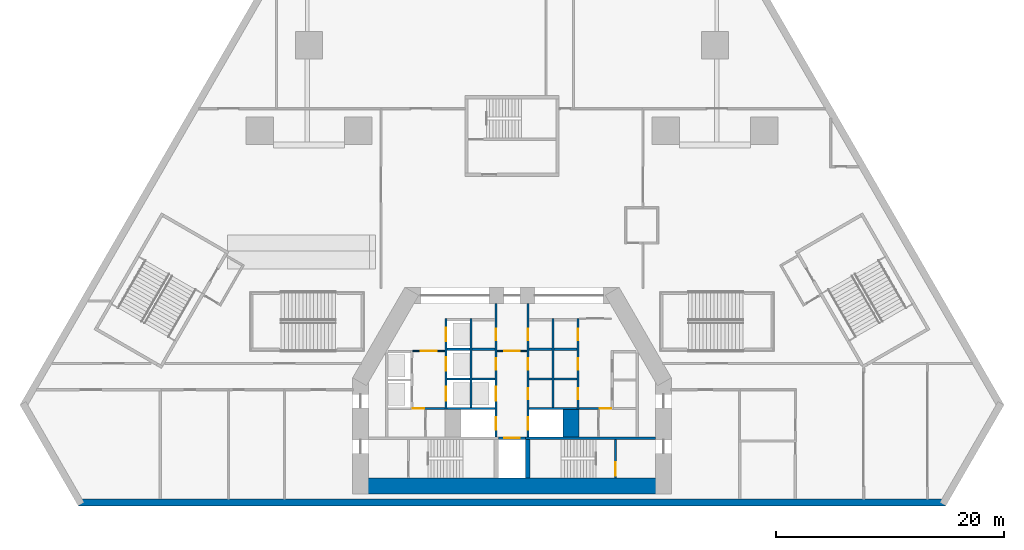
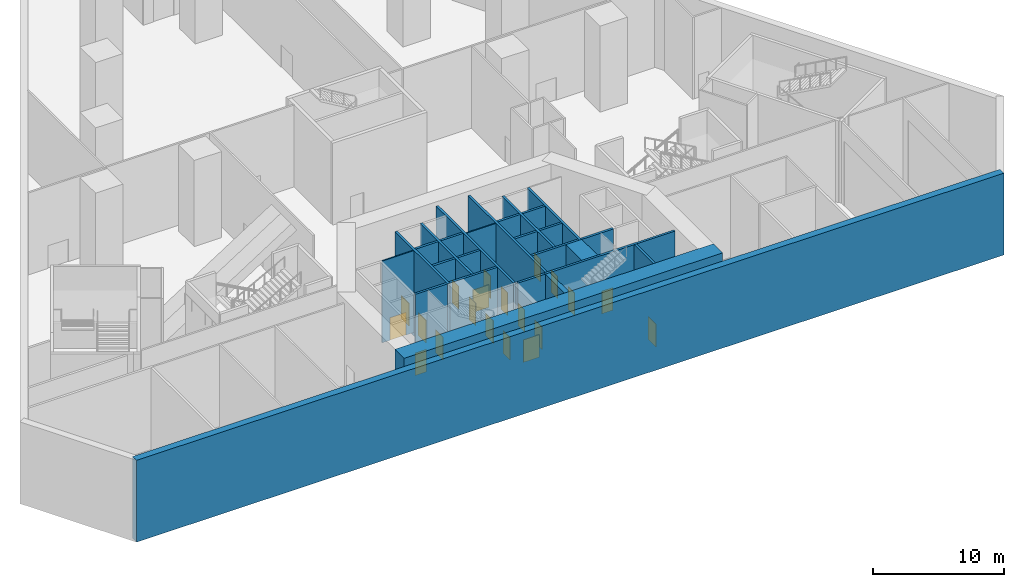
# One storey, part 3 of 11: 27 walls, 20 doors, 20 openings.
"""IFC4 building model written with IfcOpenShell, lengths in metres."""

import ifcopenshell
import ifcopenshell.guid

model = None  # the IFC model being written
_history = None  # IfcOwnerHistory: only IFC2X3 demands one
_inside = {}  # id of a spatial element -> (the spatial element, [elements in it])
_under = {}  # id of a project, library or spatial element -> (it, [spatial elements below it])
_declared = {}  # id of a project -> (the project, [libraries it declares])
_typed = {}  # id of a type object -> (the type object, [elements of that type])
_made_of = {}  # id of a material, layer set ... -> (it, [elements and type objects made of it])


def new_model(schema):
    """Start an empty IFC model of exactly this schema.

    Asked for "IFC4X3", IfcOpenShell would pick the latest addendum, in which some entities
    have other attributes; the version numbers below select the first issue.
    IFC2X3 requires an IfcOwnerHistory on every rooted entity: one is made here for all.
    """
    global model, _history
    if schema == "IFC4X3":
        model = ifcopenshell.file(schema_version=(4, 3, 0, 0))
    else:
        model = ifcopenshell.file(schema=schema)
    _inside.clear()
    _under.clear()
    _declared.clear()
    _typed.clear()
    _made_of.clear()
    _history = None
    if model.schema == "IFC2X3":
        org = make("IfcOrganization", Name="unknown")
        user = make(
            "IfcPersonAndOrganization",
            ThePerson=make("IfcPerson", FamilyName="unknown"),
            TheOrganization=org,
        )
        app = make(
            "IfcApplication",
            ApplicationDeveloper=org,
            Version="unknown",
            ApplicationFullName="unknown",
            ApplicationIdentifier="unknown",
        )
        _history = make(
            "IfcOwnerHistory",
            OwningUser=user,
            OwningApplication=app,
            ChangeAction="ADDED",
            CreationDate=0,
        )
    return model


def make(cls, **values):
    """One entity of the class cls with the attributes given. An attribute that is None is left unset."""
    return model.create_entity(
        cls, **{name: value for name, value in values.items() if value is not None}
    )


def rooted(cls, **values):
    """An entity with a GlobalId (a new one), such as an element, a storey or a relation."""
    return make(cls, GlobalId=ifcopenshell.guid.new(), OwnerHistory=_history, **values)


def si_unit(unit_type, name, prefix=None):
    """IfcSIUnit, for example si_unit("LENGTHUNIT", "METRE", prefix="MILLI")."""
    return make("IfcSIUnit", UnitType=unit_type, Prefix=prefix, Name=name)


def assignment(units):
    """IfcUnitAssignment: the units of a project."""
    return None if units is None else make("IfcUnitAssignment", Units=units)


def point(xyz):
    """IfcCartesianPoint."""
    return None if xyz is None else make("IfcCartesianPoint", Coordinates=xyz)


def direction(xyz):
    """IfcDirection."""
    return None if xyz is None else make("IfcDirection", DirectionRatios=xyz)


def frame(location, z_axis=None, x_axis=None):
    """IfcAxis2Placement3D, a coordinate frame: its origin and axes. An axis left out is left unset."""
    return make(
        "IfcAxis2Placement3D",
        Location=point(location),
        Axis=direction(z_axis),
        RefDirection=direction(x_axis),
    )


def frame_2d(location, x_axis=None):
    """IfcAxis2Placement2D, a coordinate frame in the plane: its origin and x axis."""
    return make(
        "IfcAxis2Placement2D", Location=point(location), RefDirection=direction(x_axis)
    )


def origin():
    """The frame at (0, 0, 0) with its axes left unset."""
    return frame((0.0, 0.0, 0.0))


def place(relative_to, where):
    """IfcLocalPlacement: puts the frame where relative to a parent placement (None: the world)."""
    return make(
        "IfcLocalPlacement", PlacementRelTo=relative_to, RelativePlacement=where
    )


def context(
    kind, dimensions, precision=None, world=None, true_north=None, identifier=None
):
    """IfcGeometricRepresentationContext, for example the 3D "Model" context."""
    return make(
        "IfcGeometricRepresentationContext",
        ContextIdentifier=identifier,
        ContextType=kind,
        CoordinateSpaceDimension=dimensions,
        Precision=precision,
        WorldCoordinateSystem=world,
        TrueNorth=true_north,
    )


def subcontext(parent, identifier, kind, view, scale=None):
    """IfcGeometricRepresentationSubContext, for example "Body" below "Model"."""
    return make(
        "IfcGeometricRepresentationSubContext",
        ContextIdentifier=identifier,
        ContextType=kind,
        ParentContext=parent,
        TargetScale=scale,
        TargetView=view,
    )


def project(units=None, contexts=None):
    """IfcProject with its units and contexts."""
    return rooted(
        "IfcProject",
        Name="project",
        RepresentationContexts=contexts,
        UnitsInContext=assignment(units),
    )


def spatial(cls, under=None, at=None, **own):
    """A site, building, storey or space (cls), placed at a placement, below another one or the project."""
    s = rooted(cls, ObjectPlacement=at, **own)
    if under is not None:
        _under.setdefault(under.id(), (under, []))[1].append(s)
    return s


def profile(cls, at=None, kind="AREA", **sizes):
    """A parametric profile (cls). Its sizes go by their IFC names, for example OverallWidth=200.0."""
    return make(cls, ProfileType=kind, Position=at, **sizes)


def rectangle(**sizes):
    """IfcRectangleProfileDef."""
    return profile("IfcRectangleProfileDef", **sizes)


def extrude(swept, where, along, depth):
    """IfcExtrudedAreaSolid: the profile swept, set in the frame where, extruded along a direction by depth."""
    return make(
        "IfcExtrudedAreaSolid",
        SweptArea=swept,
        Position=where,
        ExtrudedDirection=direction(along),
        Depth=depth,
    )


def shape(context_of_items, identifier, shape_type, items):
    """IfcShapeRepresentation: the items that make up one representation, for example the "Body"."""
    return make(
        "IfcShapeRepresentation",
        ContextOfItems=context_of_items,
        RepresentationIdentifier=identifier,
        RepresentationType=shape_type,
        Items=items,
    )


def material(Name=None, Category=None):
    """IfcMaterial."""
    return make("IfcMaterial", Name=Name, Category=Category)


def layer(
    of_material, thickness, ventilated=None, Name=None, Category=None, Priority=None
):
    """IfcMaterialLayer: one layer of a wall or slab, of a material (None: an air gap)."""
    return make(
        "IfcMaterialLayer",
        Material=of_material,
        LayerThickness=thickness,
        IsVentilated=ventilated,
        Name=Name,
        Category=Category,
        Priority=Priority,
    )


def layer_set(layers, Name=None):
    """IfcMaterialLayerSet."""
    return make("IfcMaterialLayerSet", MaterialLayers=layers, LayerSetName=Name)


def made_of(thing, what):
    """Note that an element or type object is made of a material, layer set ...; save() writes the relation."""
    if what is not None:
        _made_of.setdefault(what.id(), (what, []))[1].append(thing)
    return thing


def type_object(cls, material=None, **own):
    """A type object (cls), such as IfcWallType, which elements share."""
    return made_of(rooted(cls, **own), material)


def element(
    cls,
    number,
    at=None,
    inside=None,
    cuts=None,
    type_object=None,
    material=None,
    context=None,
    identifier="Body",
    shape_type=None,
    held_by="IfcProductDefinitionShape",
    body=None,
    shapes=None,
    **own,
):
    """One element of the class cls, such as IfcWall. Its Tag is "e" and its number.

    at: its placement. inside: the storey or other place that contains it. cuts: it is an
    opening in that element (IfcRelVoidsElement). A single representation is given by context,
    identifier, shape_type and body (its items); several are given by shapes. held_by: the class
    of the entity that holds the representations. save() writes the other relations.
    """
    e = rooted(cls, Tag="e%d" % number, ObjectPlacement=at, **own)
    if body is not None:
        shapes = [shape(context, identifier, shape_type, body)]
    if shapes is not None:
        e.Representation = make(held_by, Representations=shapes)
    if inside is not None:
        _inside.setdefault(inside.id(), (inside, []))[1].append(e)
    if cuts is not None:
        rooted(
            "IfcRelVoidsElement", RelatingBuildingElement=cuts, RelatedOpeningElement=e
        )
    if type_object is not None:
        _typed.setdefault(type_object.id(), (type_object, []))[1].append(e)
    return made_of(e, material)


def fill(opening, filler):
    """IfcRelFillsElement: the door or window that sits in an opening."""
    return rooted(
        "IfcRelFillsElement",
        RelatingOpeningElement=opening,
        RelatedBuildingElement=filler,
    )


def aggregate(whole, parts):
    """IfcRelAggregates: a whole, such as a stair, and the parts it consists of."""
    return rooted("IfcRelAggregates", RelatingObject=whole, RelatedObjects=parts)


def save(model, path):
    """Write the relations noted so far, then the file.

    IfcRelAggregates (storeys below a building ...), IfcRelContainedInSpatialStructure (elements
    in a storey), IfcRelDefinesByType, IfcRelAssociatesMaterial and IfcRelDeclares: one each for
    every whole, place, type object, material and project.
    """
    for whole, parts in _under.values():
        aggregate(whole, parts)
    for where, things in _inside.values():
        rooted(
            "IfcRelContainedInSpatialStructure",
            RelatedElements=things,
            RelatingStructure=where,
        )
    for kind, things in _typed.values():
        rooted("IfcRelDefinesByType", RelatedObjects=things, RelatingType=kind)
    for what, things in _made_of.values():
        rooted("IfcRelAssociatesMaterial", RelatedObjects=things, RelatingMaterial=what)
    for by, libraries in _declared.values():
        rooted("IfcRelDeclares", RelatingContext=by, RelatedDefinitions=libraries)
    model.write(path)


model = new_model("IFC4")

# Units and contexts
model_context = context("Model", 3, precision=1e-05, world=origin(), true_north=direction((0.0, 1.0)))
body_context = subcontext(model_context, "Body", "Model", "MODEL_VIEW")
ifc_project = project(units=[si_unit("LENGTHUNIT", "METRE"), si_unit("AREAUNIT", "SQUARE_METRE"), si_unit("VOLUMEUNIT", "CUBIC_METRE"), si_unit("PLANEANGLEUNIT", "RADIAN"), si_unit("MASSUNIT", "GRAM", prefix="KILO")], contexts=[model_context])

# Site, building, storey
site_placement = place(None, origin())
site = spatial("IfcSite", under=ifc_project, at=site_placement, CompositionType="ELEMENT")
building_placement = place(site_placement, origin())
building = spatial("IfcBuilding", under=site, at=building_placement, Name="Fogline Exchange Tower", CompositionType="ELEMENT")
storey_placement = place(building_placement, frame((0.0, 0.0, -8.0)))
storey = spatial("IfcBuildingStorey", under=building, at=storey_placement, Name="B1", CompositionType="ELEMENT", Elevation=-8.0)

# Wall, opening, door
ifc_material_1 = material(Name="Blockwork partition", Category="masonry")
ifc_layer_1 = layer(ifc_material_1, 0.10009765625)
ifc_layer_set_1 = layer_set([ifc_layer_1], Name="CW10")
wall_type_1 = type_object("IfcWallType", Name="CW10", PredefinedType="PARTITIONING", material=ifc_layer_set_1)
wall_1_placement = place(storey_placement, frame((-8.699951171875, 13.39990234375, 0.0), z_axis=(0.0, 0.0, 1.0), x_axis=(1.0, 0.0, 0.0)))
wall_1 = element("IfcWall", 1, at=wall_1_placement, inside=storey, type_object=wall_type_1, Name="Lift lobby partition", PredefinedType="PARTITIONING", context=body_context, shape_type="SweptSolid", body=[
    extrude(rectangle(XDim=2.800048828125, YDim=0.10009765625, at=frame_2d((1.39990234375, 0.0))), origin(), (0.0, 0.0, 1.0), 7.60009765625),
])
opening_1_placement = place(wall_1_placement, frame((0.699951171875, 0.0, 0.0)))
opening_1 = element("IfcOpeningElement", 2, at=opening_1_placement, cuts=wall_1, Name="Opening B1-C011", PredefinedType="OPENING", context=body_context, shape_type="SweptSolid", body=[
    extrude(rectangle(XDim=1.39990234375, YDim=2.10009765625, at=frame_2d((0.699951171875, 1.050048828125))), frame((0.0, 0.06005859375, 0.0), z_axis=(0.0, -1.0, 0.0), x_axis=(1.0, 0.0, 0.0)), (0.0, 0.0, 1.0), 0.1201171875),
])
ifc_material_2 = material(Name="Steel and timber fire door", Category="steel")
door_type_1 = type_object("IfcDoorType", Name="D-LB1", OperationType="DOUBLE_DOOR_SINGLE_SWING", PredefinedType="DOOR", material=ifc_material_2)
door_1_placement = place(opening_1_placement, frame((1.39990234375, 0.0, 0.0), z_axis=(0.0, 0.0, 1.0), x_axis=(-1.0, 0.0, 0.0)))
door_1 = element("IfcDoor", 3, at=door_1_placement, inside=storey, type_object=door_type_1, Name="Door to lift lobby", OperationType="DOUBLE_DOOR_SINGLE_SWING", OverallHeight=2.10009765625, OverallWidth=1.39990234375, PredefinedType="DOOR", context=body_context, shape_type="SweptSolid", body=[
    extrude(rectangle(XDim=1.39990234375, YDim=2.10009765625, at=frame_2d((0.699951171875, 1.050048828125))), frame((0.0, 0.02490234375, 0.0), z_axis=(0.0, -1.0, 0.0), x_axis=(1.0, 0.0, 0.0)), (0.0, 0.0, 1.0), 0.050048828125),
])
fill(opening_1, door_1)

wall_2_placement = place(storey_placement, frame((-1.300048828125, 13.39990234375, 0.0), z_axis=(0.0, 0.0, 1.0), x_axis=(1.0, 0.0, 0.0)))
wall_2 = element("IfcWall", 4, at=wall_2_placement, inside=storey, type_object=wall_type_1, Name="Lift lobby partition", PredefinedType="PARTITIONING", context=body_context, shape_type="SweptSolid", body=[
    extrude(rectangle(XDim=2.60009765625, YDim=0.10009765625, at=frame_2d((1.300048828125, 0.0))), origin(), (0.0, 0.0, 1.0), 7.60009765625),
])
opening_2_placement = place(wall_2_placement, frame((0.60009765625, 0.0, 0.0)))
opening_2 = element("IfcOpeningElement", 5, at=opening_2_placement, cuts=wall_2, Name="Opening B1-C023", PredefinedType="OPENING", context=body_context, shape_type="SweptSolid", body=[
    extrude(rectangle(XDim=1.39990234375, YDim=2.10009765625, at=frame_2d((0.699951171875, 1.050048828125))), frame((0.0, 0.06005859375, 0.0), z_axis=(0.0, -1.0, 0.0), x_axis=(1.0, 0.0, 0.0)), (0.0, 0.0, 1.0), 0.1201171875),
])
door_2_placement = place(opening_2_placement, origin())
door_2 = element("IfcDoor", 6, at=door_2_placement, inside=storey, type_object=door_type_1, Name="Door to firefighting lift lobby", OperationType="DOUBLE_DOOR_SINGLE_SWING", OverallHeight=2.10009765625, OverallWidth=1.39990234375, PredefinedType="DOOR", context=body_context, shape_type="SweptSolid", body=[
    extrude(rectangle(XDim=1.39990234375, YDim=2.10009765625, at=frame_2d((0.699951171875, 1.050048828125))), frame((0.0, 0.02490234375, 0.0), z_axis=(0.0, -1.0, 0.0), x_axis=(1.0, 0.0, 0.0)), (0.0, 0.0, 1.0), 0.050048828125),
])
fill(opening_2, door_2)

# Wall
ifc_material_3 = material(Name="Concrete C60", Category="concrete")
ifc_layer_2 = layer(ifc_material_3, 1.39990234375)
ifc_layer_set_2 = layer_set([ifc_layer_2], Name="CW140")
wall_type_2 = type_object("IfcWallType", Name="CW140", PredefinedType="SOLIDWALL", material=ifc_layer_set_2)
wall_3_placement = place(storey_placement, frame((5.199951171875, 5.85009765625, -0.35009765625), z_axis=(0.0, 0.0, 1.0), x_axis=(0.0, 1.0, 0.0)))
element("IfcWall", 7, at=wall_3_placement, inside=storey, type_object=wall_type_2, Name="Lift shaft block wall", PredefinedType="SOLIDWALL", context=body_context, shape_type="SweptSolid", body=[
    extrude(rectangle(XDim=2.39990234375, YDim=1.39990234375, at=frame_2d((1.199951171875, 0.0))), origin(), (0.0, 0.0, 1.0), 7.9501953125),
])

# Wall, opening, door
ifc_material_4 = material(Name="Concrete C40", Category="concrete")
ifc_layer_3 = layer(ifc_material_4, 0.199951171875)
ifc_layer_set_3 = layer_set([ifc_layer_3], Name="CW20")
wall_type_3 = type_object("IfcWallType", Name="CW20", PredefinedType="SOLIDWALL", material=ifc_layer_set_3)
wall_4_placement = place(storey_placement, frame((-8.699951171875, 8.35009765625, 0.0), z_axis=(0.0, 0.0, 1.0), x_axis=(1.0, 0.0, 0.0)))
wall_4 = element("IfcWall", 8, at=wall_4_placement, inside=storey, type_object=wall_type_3, Name="WC wall", PredefinedType="SOLIDWALL", context=body_context, shape_type="SweptSolid", body=[
    extrude(rectangle(XDim=2.800048828125, YDim=0.199951171875, at=frame_2d((1.39990234375, 0.0))), origin(), (0.0, 0.0, 1.0), 7.60009765625),
])
opening_3_placement = place(wall_4_placement, origin())
opening_3 = element("IfcOpeningElement", 9, at=opening_3_placement, cuts=wall_4, Name="Opening B1-C012", PredefinedType="OPENING", context=body_context, shape_type="SweptSolid", body=[
    extrude(rectangle(XDim=1.0, YDim=2.10009765625, at=frame_2d((0.5, 1.050048828125))), frame((0.0, 0.10986328125, 0.0), z_axis=(0.0, -1.0, 0.0), x_axis=(1.0, 0.0, 0.0)), (0.0, 0.0, 1.0), 0.219970703125),
])
door_type_2 = type_object("IfcDoorType", Name="D-WC1", OperationType="SINGLE_SWING_LEFT", PredefinedType="DOOR", material=ifc_material_2)
door_3_placement = place(opening_3_placement, frame((1.0, 0.0, 0.0), z_axis=(0.0, 0.0, 1.0), x_axis=(-1.0, 0.0, 0.0)))
door_3 = element("IfcDoor", 10, at=door_3_placement, inside=storey, type_object=door_type_2, Name="Door to Men's WC", OperationType="SINGLE_SWING_LEFT", OverallHeight=2.10009765625, OverallWidth=1.0, PredefinedType="DOOR", context=body_context, shape_type="SweptSolid", body=[
    extrude(rectangle(XDim=1.0, YDim=2.10009765625, at=frame_2d((0.5, 1.050048828125))), frame((0.0, 0.02490234375, 0.0), z_axis=(0.0, -1.0, 0.0), x_axis=(1.0, 0.0, 0.0)), (0.0, 0.0, 1.0), 0.050048828125),
])
fill(opening_3, door_3)

wall_5_placement = place(storey_placement, frame((5.89990234375, 8.35009765625, 0.0), z_axis=(0.0, 0.0, 1.0), x_axis=(1.0, 0.0, 0.0)))
wall_5 = element("IfcWall", 11, at=wall_5_placement, inside=storey, type_object=wall_type_3, Name="WC wall", PredefinedType="SOLIDWALL", context=body_context, shape_type="SweptSolid", body=[
    extrude(rectangle(XDim=2.800048828125, YDim=0.199951171875, at=frame_2d((1.39990234375, 0.0))), origin(), (0.0, 0.0, 1.0), 7.60009765625),
])
opening_4_placement = place(wall_5_placement, frame((1.800048828125, 0.0, 0.0)))
opening_4 = element("IfcOpeningElement", 12, at=opening_4_placement, cuts=wall_5, Name="Opening B1-C018", PredefinedType="OPENING", context=body_context, shape_type="SweptSolid", body=[
    extrude(rectangle(XDim=1.0, YDim=2.10009765625, at=frame_2d((0.5, 1.050048828125))), frame((0.0, 0.10986328125, 0.0), z_axis=(0.0, -1.0, 0.0), x_axis=(1.0, 0.0, 0.0)), (0.0, 0.0, 1.0), 0.219970703125),
])
door_4_placement = place(opening_4_placement, frame((1.0, 0.0, 0.0), z_axis=(0.0, 0.0, 1.0), x_axis=(-1.0, 0.0, 0.0)))
door_4 = element("IfcDoor", 13, at=door_4_placement, inside=storey, type_object=door_type_2, Name="Door to Women's WC", OperationType="SINGLE_SWING_LEFT", OverallHeight=2.10009765625, OverallWidth=1.0, PredefinedType="DOOR", context=body_context, shape_type="SweptSolid", body=[
    extrude(rectangle(XDim=1.0, YDim=2.10009765625, at=frame_2d((0.5, 1.050048828125))), frame((0.0, 0.02490234375, 0.0), z_axis=(0.0, -1.0, 0.0), x_axis=(1.0, 0.0, 0.0)), (0.0, 0.0, 1.0), 0.050048828125),
])
fill(opening_4, door_4)

ifc_layer_4 = layer(ifc_material_4, 0.199951171875)
ifc_layer_set_4 = layer_set([ifc_layer_4], Name="CW20R")
wall_type_4 = type_object("IfcWallType", Name="CW20R", PredefinedType="SOLIDWALL", material=ifc_layer_set_4)
wall_6_placement = place(storey_placement, frame((-1.199951171875, 5.75, -0.35009765625), z_axis=(0.0, 0.0, 1.0), x_axis=(1.0, 0.0, 0.0)))
wall_6 = element("IfcWall", 14, at=wall_6_placement, inside=storey, type_object=wall_type_4, Name="Stair enclosure wall", PredefinedType="SOLIDWALL", context=body_context, shape_type="SweptSolid", body=[
    extrude(rectangle(XDim=2.39990234375, YDim=0.199951171875, at=frame_2d((1.199951171875, 0.0))), origin(), (0.0, 0.0, 1.0), 7.9501953125),
])
opening_5_placement = place(wall_6_placement, frame((0.5, 0.0, 0.35009765625)))
opening_5 = element("IfcOpeningElement", 15, at=opening_5_placement, cuts=wall_6, Name="Opening B1-LD09", PredefinedType="OPENING", context=body_context, shape_type="SweptSolid", body=[
    extrude(rectangle(XDim=1.39990234375, YDim=2.10009765625, at=frame_2d((0.699951171875, 1.050048828125))), frame((0.0, 0.10986328125, 0.0), z_axis=(0.0, -1.0, 0.0), x_axis=(1.0, 0.0, 0.0)), (0.0, 0.0, 1.0), 0.219970703125),
])
door_type_3 = type_object("IfcDoorType", Name="LD3", OperationType="SLIDING_TO_LEFT", PredefinedType="DOOR", material=ifc_material_2)
door_5_placement = place(opening_5_placement, origin())
door_5 = element("IfcDoor", 16, at=door_5_placement, inside=storey, type_object=door_type_3, Name="Landing door GL1", OperationType="SLIDING_TO_LEFT", OverallHeight=2.10009765625, OverallWidth=1.39990234375, PredefinedType="DOOR", context=body_context, shape_type="SweptSolid", body=[
    extrude(rectangle(XDim=1.39990234375, YDim=2.10009765625, at=frame_2d((0.699951171875, 1.050048828125))), frame((0.0, 0.02490234375, 0.0), z_axis=(0.0, -1.0, 0.0), x_axis=(1.0, 0.0, 0.0)), (0.0, 0.0, 1.0), 0.050048828125),
])
fill(opening_5, door_5)

# Wall
wall_7_placement = place(storey_placement, frame((1.199951171875, 5.75, -0.35009765625), z_axis=(0.0, 0.0, 1.0), x_axis=(1.0, 0.0, 0.0)))
element("IfcWall", 17, at=wall_7_placement, inside=storey, type_object=wall_type_4, Name="Stair enclosure wall", PredefinedType="SOLIDWALL", context=body_context, shape_type="SweptSolid", body=[
    extrude(rectangle(XDim=11.400146484375, YDim=0.199951171875, at=frame_2d((5.7001953125, 0.0))), origin(), (0.0, 0.0, 1.0), 7.9501953125),
])

# Wall, opening, door
wall_8_placement = place(storey_placement, frame((9.10009765625, 2.25, -0.35009765625), z_axis=(0.0, 0.0, 1.0), x_axis=(0.0, 1.0, 0.0)))
wall_8 = element("IfcWall", 18, at=wall_8_placement, inside=storey, type_object=wall_type_4, Name="Stair enclosure wall", PredefinedType="SOLIDWALL", context=body_context, shape_type="SweptSolid", body=[
    extrude(rectangle(XDim=3.39990234375, YDim=0.199951171875, at=frame_2d((1.699951171875, 0.0))), origin(), (0.0, 0.0, 1.0), 7.9501953125),
])
opening_6_placement = place(wall_8_placement, frame((0.199951171875, 0.0, 0.35009765625)))
opening_6 = element("IfcOpeningElement", 19, at=opening_6_placement, cuts=wall_8, Name="Opening B1-C021", PredefinedType="OPENING", context=body_context, shape_type="SweptSolid", body=[
    extrude(rectangle(XDim=1.199951171875, YDim=2.10009765625, at=frame_2d((0.60009765625, 1.050048828125))), frame((0.0, 0.10986328125, 0.0), z_axis=(0.0, -1.0, 0.0), x_axis=(1.0, 0.0, 0.0)), (0.0, 0.0, 1.0), 0.219970703125),
])
door_type_4 = type_object("IfcDoorType", Name="D-ST1", OperationType="SINGLE_SWING_LEFT", PredefinedType="DOOR", material=ifc_material_2)
door_6_placement = place(opening_6_placement, origin())
door_6 = element("IfcDoor", 20, at=door_6_placement, inside=storey, type_object=door_type_4, Name="Stair door ST2", OperationType="SINGLE_SWING_LEFT", OverallHeight=2.10009765625, OverallWidth=1.199951171875, PredefinedType="DOOR", context=body_context, shape_type="SweptSolid", body=[
    extrude(rectangle(XDim=1.199951171875, YDim=2.10009765625, at=frame_2d((0.60009765625, 1.050048828125))), frame((0.0, 0.02490234375, 0.0), z_axis=(0.0, -1.0, 0.0), x_axis=(1.0, 0.0, 0.0)), (0.0, 0.0, 1.0), 0.050048828125),
])
fill(opening_6, door_6)

# Wall, openings, doors
ifc_layer_5 = layer(ifc_material_4, 0.199951171875)
ifc_layer_set_5 = layer_set([ifc_layer_5], Name="CW20S")
wall_type_5 = type_object("IfcWallType", Name="CW20S", PredefinedType="SOLIDWALL", material=ifc_layer_set_5)
wall_9_placement = place(storey_placement, frame((-5.800048828125, 8.25, -0.35009765625), z_axis=(0.0, 0.0, 1.0), x_axis=(0.0, 1.0, 0.0)))
wall_9 = element("IfcWall", 21, at=wall_9_placement, inside=storey, type_object=wall_type_5, Name="Lift shaft wall", PredefinedType="SOLIDWALL", context=body_context, shape_type="SweptSolid", body=[
    extrude(rectangle(XDim=8.0, YDim=0.199951171875, at=frame_2d((4.0, 0.0))), origin(), (0.0, 0.0, 1.0), 7.9501953125),
])
opening_7_placement = place(wall_9_placement, frame((0.800048828125, 0.0, 0.35009765625)))
opening_7 = element("IfcOpeningElement", 22, at=opening_7_placement, cuts=wall_9, Name="Opening B1-LD03", PredefinedType="OPENING", context=body_context, shape_type="SweptSolid", body=[
    extrude(rectangle(XDim=1.199951171875, YDim=2.10009765625, at=frame_2d((0.60009765625, 1.050048828125))), frame((0.0, 0.10986328125, 0.0), z_axis=(0.0, -1.0, 0.0), x_axis=(1.0, 0.0, 0.0)), (0.0, 0.0, 1.0), 0.219970703125),
])
opening_8_placement = place(wall_9_placement, frame((3.39990234375, 0.0, 0.35009765625)))
opening_8 = element("IfcOpeningElement", 23, at=opening_8_placement, cuts=wall_9, Name="Opening B1-LD04", PredefinedType="OPENING", context=body_context, shape_type="SweptSolid", body=[
    extrude(rectangle(XDim=1.199951171875, YDim=2.10009765625, at=frame_2d((0.60009765625, 1.050048828125))), frame((0.0, 0.10986328125, 0.0), z_axis=(0.0, -1.0, 0.0), x_axis=(1.0, 0.0, 0.0)), (0.0, 0.0, 1.0), 0.219970703125),
])
opening_9_placement = place(wall_9_placement, frame((6.0, 0.0, 0.35009765625)))
opening_9 = element("IfcOpeningElement", 24, at=opening_9_placement, cuts=wall_9, Name="Opening B1-LD05", PredefinedType="OPENING", context=body_context, shape_type="SweptSolid", body=[
    extrude(rectangle(XDim=1.199951171875, YDim=2.10009765625, at=frame_2d((0.60009765625, 1.050048828125))), frame((0.0, 0.10986328125, 0.0), z_axis=(0.0, -1.0, 0.0), x_axis=(1.0, 0.0, 0.0)), (0.0, 0.0, 1.0), 0.219970703125),
])
door_type_5 = type_object("IfcDoorType", Name="LD1", OperationType="SLIDING_TO_LEFT", PredefinedType="DOOR", material=ifc_material_2)
door_7_placement = place(opening_7_placement, origin())
door_7 = element("IfcDoor", 25, at=door_7_placement, inside=storey, type_object=door_type_5, Name="Landing door LR3", OperationType="SLIDING_TO_LEFT", OverallHeight=2.10009765625, OverallWidth=1.199951171875, PredefinedType="DOOR", context=body_context, shape_type="SweptSolid", body=[
    extrude(rectangle(XDim=1.199951171875, YDim=2.10009765625, at=frame_2d((0.60009765625, 1.050048828125))), frame((0.0, 0.02490234375, 0.0), z_axis=(0.0, -1.0, 0.0), x_axis=(1.0, 0.0, 0.0)), (0.0, 0.0, 1.0), 0.050048828125),
])
fill(opening_7, door_7)
door_8_placement = place(opening_8_placement, origin())
door_8 = element("IfcDoor", 26, at=door_8_placement, inside=storey, type_object=door_type_5, Name="Landing door LR4", OperationType="SLIDING_TO_LEFT", OverallHeight=2.10009765625, OverallWidth=1.199951171875, PredefinedType="DOOR", context=body_context, shape_type="SweptSolid", body=[
    extrude(rectangle(XDim=1.199951171875, YDim=2.10009765625, at=frame_2d((0.60009765625, 1.050048828125))), frame((0.0, 0.02490234375, 0.0), z_axis=(0.0, -1.0, 0.0), x_axis=(1.0, 0.0, 0.0)), (0.0, 0.0, 1.0), 0.050048828125),
])
fill(opening_8, door_8)
door_9_placement = place(opening_9_placement, origin())
door_9 = element("IfcDoor", 27, at=door_9_placement, inside=storey, type_object=door_type_5, Name="Landing door LR5", OperationType="SLIDING_TO_LEFT", OverallHeight=2.10009765625, OverallWidth=1.199951171875, PredefinedType="DOOR", context=body_context, shape_type="SweptSolid", body=[
    extrude(rectangle(XDim=1.199951171875, YDim=2.10009765625, at=frame_2d((0.60009765625, 1.050048828125))), frame((0.0, 0.02490234375, 0.0), z_axis=(0.0, -1.0, 0.0), x_axis=(1.0, 0.0, 0.0)), (0.0, 0.0, 1.0), 0.050048828125),
])
fill(opening_9, door_9)

wall_10_placement = place(storey_placement, frame((5.800048828125, 8.25, -0.35009765625), z_axis=(0.0, 0.0, 1.0), x_axis=(0.0, 1.0, 0.0)))
wall_10 = element("IfcWall", 28, at=wall_10_placement, inside=storey, type_object=wall_type_5, Name="Lift shaft wall", PredefinedType="SOLIDWALL", context=body_context, shape_type="SweptSolid", body=[
    extrude(rectangle(XDim=8.0, YDim=0.199951171875, at=frame_2d((4.0, 0.0))), origin(), (0.0, 0.0, 1.0), 7.9501953125),
])
opening_10_placement = place(wall_10_placement, frame((0.89990234375, 0.0, 0.35009765625)))
opening_10 = element("IfcOpeningElement", 29, at=opening_10_placement, cuts=wall_10, Name="Opening B1-C005", PredefinedType="OPENING", context=body_context, shape_type="SweptSolid", body=[
    extrude(rectangle(XDim=1.0, YDim=2.10009765625, at=frame_2d((0.5, 1.050048828125))), frame((0.0, 0.10986328125, 0.0), z_axis=(0.0, -1.0, 0.0), x_axis=(1.0, 0.0, 0.0)), (0.0, 0.0, 1.0), 0.219970703125),
])
opening_11_placement = place(wall_10_placement, frame((3.5, 0.0, 0.35009765625)))
opening_11 = element("IfcOpeningElement", 30, at=opening_11_placement, cuts=wall_10, Name="Opening B1-C006", PredefinedType="OPENING", context=body_context, shape_type="SweptSolid", body=[
    extrude(rectangle(XDim=1.0, YDim=2.10009765625, at=frame_2d((0.5, 1.050048828125))), frame((0.0, 0.10986328125, 0.0), z_axis=(0.0, -1.0, 0.0), x_axis=(1.0, 0.0, 0.0)), (0.0, 0.0, 1.0), 0.219970703125),
])
opening_12_placement = place(wall_10_placement, frame((6.10009765625, 0.0, 0.35009765625)))
opening_12 = element("IfcOpeningElement", 31, at=opening_12_placement, cuts=wall_10, Name="Opening B1-C007", PredefinedType="OPENING", context=body_context, shape_type="SweptSolid", body=[
    extrude(rectangle(XDim=1.0, YDim=2.10009765625, at=frame_2d((0.5, 1.050048828125))), frame((0.0, 0.10986328125, 0.0), z_axis=(0.0, -1.0, 0.0), x_axis=(1.0, 0.0, 0.0)), (0.0, 0.0, 1.0), 0.219970703125),
])
door_type_6 = type_object("IfcDoorType", Name="D-RM1", OperationType="SINGLE_SWING_LEFT", PredefinedType="DOOR", material=ifc_material_2)
door_10_placement = place(opening_10_placement, origin())
door_10 = element("IfcDoor", 32, at=door_10_placement, inside=storey, type_object=door_type_6, Name="Door to Riser Room", OperationType="SINGLE_SWING_RIGHT", OverallHeight=2.10009765625, OverallWidth=1.0, PredefinedType="DOOR", context=body_context, shape_type="SweptSolid", body=[
    extrude(rectangle(XDim=1.0, YDim=2.10009765625, at=frame_2d((0.5, 1.050048828125))), frame((0.0, 0.02490234375, 0.0), z_axis=(0.0, -1.0, 0.0), x_axis=(1.0, 0.0, 0.0)), (0.0, 0.0, 1.0), 0.050048828125),
])
fill(opening_10, door_10)
door_11_placement = place(opening_11_placement, origin())
door_11 = element("IfcDoor", 33, at=door_11_placement, inside=storey, type_object=door_type_6, Name="Door to Plant Room", OperationType="SINGLE_SWING_LEFT", OverallHeight=2.10009765625, OverallWidth=1.0, PredefinedType="DOOR", context=body_context, shape_type="SweptSolid", body=[
    extrude(rectangle(XDim=1.0, YDim=2.10009765625, at=frame_2d((0.5, 1.050048828125))), frame((0.0, 0.02490234375, 0.0), z_axis=(0.0, -1.0, 0.0), x_axis=(1.0, 0.0, 0.0)), (0.0, 0.0, 1.0), 0.050048828125),
])
fill(opening_11, door_11)
door_12_placement = place(opening_12_placement, origin())
door_12 = element("IfcDoor", 34, at=door_12_placement, inside=storey, type_object=door_type_6, Name="Door to Cable Store", OperationType="SINGLE_SWING_LEFT", OverallHeight=2.10009765625, OverallWidth=1.0, PredefinedType="DOOR", context=body_context, shape_type="SweptSolid", body=[
    extrude(rectangle(XDim=1.0, YDim=2.10009765625, at=frame_2d((0.5, 1.050048828125))), frame((0.0, 0.02490234375, 0.0), z_axis=(0.0, -1.0, 0.0), x_axis=(1.0, 0.0, 0.0)), (0.0, 0.0, 1.0), 0.050048828125),
])
fill(opening_12, door_12)

# Walls
for number, where, z_axis, x_axis, name in (
    (35, (-3.60009765625, 8.449951171875, -0.35009765625), (0.0, 0.0, 1.0), (0.0, 1.0, 0.0), "Lift shaft wall"),
    (36, (3.60009765625, 8.449951171875, -0.35009765625), (0.0, 0.0, 1.0), (0.0, 1.0, 0.0), "Lift shaft wall"),
):
    element("IfcWall", number, at=place(storey_placement, frame(where, z_axis=z_axis, x_axis=x_axis)), inside=storey, type_object=wall_type_5, Name=name, PredefinedType="SOLIDWALL", context=body_context, shape_type="SweptSolid", body=[
        extrude(rectangle(XDim=7.800048828125, YDim=0.199951171875, at=frame_2d((3.89990234375, 0.0))), origin(), (0.0, 0.0, 1.0), 7.9501953125),
    ])

# Wall, openings, doors
wall_11_placement = place(storey_placement, frame((-1.39990234375, 5.85009765625, -0.35009765625), z_axis=(0.0, 0.0, 1.0), x_axis=(0.0, 1.0, 0.0)))
wall_11 = element("IfcWall", 37, at=wall_11_placement, inside=storey, type_object=wall_type_5, Name="Lift lobby wall", PredefinedType="SOLIDWALL", context=body_context, shape_type="SweptSolid", body=[
    extrude(rectangle(XDim=11.75, YDim=0.199951171875, at=frame_2d((5.875, 0.0))), origin(), (0.0, 0.0, 1.0), 7.9501953125),
])
opening_13_placement = place(wall_11_placement, frame((3.199951171875, 0.0, 0.35009765625)))
opening_13 = element("IfcOpeningElement", 38, at=opening_13_placement, cuts=wall_11, Name="Opening B1-LD06", PredefinedType="OPENING", context=body_context, shape_type="SweptSolid", body=[
    extrude(rectangle(XDim=1.199951171875, YDim=2.10009765625, at=frame_2d((0.60009765625, 1.050048828125))), frame((0.0, 0.10986328125, 0.0), z_axis=(0.0, -1.0, 0.0), x_axis=(1.0, 0.0, 0.0)), (0.0, 0.0, 1.0), 0.219970703125),
])
opening_14_placement = place(wall_11_placement, frame((0.64990234375, 0.0, 0.35009765625)))
opening_14 = element("IfcOpeningElement", 39, at=opening_14_placement, cuts=wall_11, Name="Opening B1-LD07", PredefinedType="OPENING", context=body_context, shape_type="SweptSolid", body=[
    extrude(rectangle(XDim=1.10009765625, YDim=2.10009765625, at=frame_2d((0.550048828125, 1.050048828125))), frame((0.0, 0.10986328125, 0.0), z_axis=(0.0, -1.0, 0.0), x_axis=(1.0, 0.0, 0.0)), (0.0, 0.0, 1.0), 0.219970703125),
])
opening_15_placement = place(wall_11_placement, frame((5.89990234375, 0.0, 0.35009765625)))
opening_15 = element("IfcOpeningElement", 40, at=opening_15_placement, cuts=wall_11, Name="Opening B1-C001", PredefinedType="OPENING", context=body_context, shape_type="SweptSolid", body=[
    extrude(rectangle(XDim=1.0, YDim=2.10009765625, at=frame_2d((0.5, 1.050048828125))), frame((0.0, 0.10986328125, 0.0), z_axis=(0.0, -1.0, 0.0), x_axis=(1.0, 0.0, 0.0)), (0.0, 0.0, 1.0), 0.219970703125),
])
opening_16_placement = place(wall_11_placement, frame((8.5, 0.0, 0.35009765625)))
opening_16 = element("IfcOpeningElement", 41, at=opening_16_placement, cuts=wall_11, Name="Opening B1-C002", PredefinedType="OPENING", context=body_context, shape_type="SweptSolid", body=[
    extrude(rectangle(XDim=1.0, YDim=2.10009765625, at=frame_2d((0.5, 1.050048828125))), frame((0.0, 0.10986328125, 0.0), z_axis=(0.0, -1.0, 0.0), x_axis=(1.0, 0.0, 0.0)), (0.0, 0.0, 1.0), 0.219970703125),
])
door_13_placement = place(opening_15_placement, origin())
door_13 = element("IfcDoor", 42, at=door_13_placement, inside=storey, type_object=door_type_6, Name="Door to Plant Room", OperationType="SINGLE_SWING_LEFT", OverallHeight=2.10009765625, OverallWidth=1.0, PredefinedType="DOOR", context=body_context, shape_type="SweptSolid", body=[
    extrude(rectangle(XDim=1.0, YDim=2.10009765625, at=frame_2d((0.5, 1.050048828125))), frame((0.0, 0.02490234375, 0.0), z_axis=(0.0, -1.0, 0.0), x_axis=(1.0, 0.0, 0.0)), (0.0, 0.0, 1.0), 0.050048828125),
])
fill(opening_15, door_13)
door_14_placement = place(opening_16_placement, origin())
door_14 = element("IfcDoor", 43, at=door_14_placement, inside=storey, type_object=door_type_6, Name="Door to Cable Store", OperationType="SINGLE_SWING_LEFT", OverallHeight=2.10009765625, OverallWidth=1.0, PredefinedType="DOOR", context=body_context, shape_type="SweptSolid", body=[
    extrude(rectangle(XDim=1.0, YDim=2.10009765625, at=frame_2d((0.5, 1.050048828125))), frame((0.0, 0.02490234375, 0.0), z_axis=(0.0, -1.0, 0.0), x_axis=(1.0, 0.0, 0.0)), (0.0, 0.0, 1.0), 0.050048828125),
])
fill(opening_16, door_14)
door_15_placement = place(opening_13_placement, origin())
door_15 = element("IfcDoor", 44, at=door_15_placement, inside=storey, type_object=door_type_5, Name="Landing door LR6", OperationType="SLIDING_TO_LEFT", OverallHeight=2.10009765625, OverallWidth=1.199951171875, PredefinedType="DOOR", context=body_context, shape_type="SweptSolid", body=[
    extrude(rectangle(XDim=1.199951171875, YDim=2.10009765625, at=frame_2d((0.60009765625, 1.050048828125))), frame((0.0, 0.02490234375, 0.0), z_axis=(0.0, -1.0, 0.0), x_axis=(1.0, 0.0, 0.0)), (0.0, 0.0, 1.0), 0.050048828125),
])
fill(opening_13, door_15)
door_type_7 = type_object("IfcDoorType", Name="LD2", OperationType="SLIDING_TO_RIGHT", PredefinedType="DOOR", material=ifc_material_2)
door_16_placement = place(opening_14_placement, origin())
door_16 = element("IfcDoor", 45, at=door_16_placement, inside=storey, type_object=door_type_7, Name="Landing door FF1", OperationType="SLIDING_TO_RIGHT", OverallHeight=2.10009765625, OverallWidth=1.10009765625, PredefinedType="DOOR", context=body_context, shape_type="SweptSolid", body=[
    extrude(rectangle(XDim=1.10009765625, YDim=2.10009765625, at=frame_2d((0.550048828125, 1.050048828125))), frame((0.0, 0.02490234375, 0.0), z_axis=(0.0, -1.0, 0.0), x_axis=(1.0, 0.0, 0.0)), (0.0, 0.0, 1.0), 0.050048828125),
])
fill(opening_14, door_16)

wall_12_placement = place(storey_placement, frame((1.39990234375, 5.85009765625, -0.35009765625), z_axis=(0.0, 0.0, 1.0), x_axis=(0.0, 1.0, 0.0)))
wall_12 = element("IfcWall", 46, at=wall_12_placement, inside=storey, type_object=wall_type_5, Name="Lift lobby wall", PredefinedType="SOLIDWALL", context=body_context, shape_type="SweptSolid", body=[
    extrude(rectangle(XDim=11.75, YDim=0.199951171875, at=frame_2d((5.875, 0.0))), origin(), (0.0, 0.0, 1.0), 7.9501953125),
])
opening_17_placement = place(wall_12_placement, frame((0.64990234375, 0.0, 0.35009765625)))
opening_17 = element("IfcOpeningElement", 47, at=opening_17_placement, cuts=wall_12, Name="Opening B1-LD08", PredefinedType="OPENING", context=body_context, shape_type="SweptSolid", body=[
    extrude(rectangle(XDim=1.10009765625, YDim=2.10009765625, at=frame_2d((0.550048828125, 1.050048828125))), frame((0.0, 0.10986328125, 0.0), z_axis=(0.0, -1.0, 0.0), x_axis=(1.0, 0.0, 0.0)), (0.0, 0.0, 1.0), 0.219970703125),
])
opening_18_placement = place(wall_12_placement, frame((3.300048828125, 0.0, 0.35009765625)))
opening_18 = element("IfcOpeningElement", 48, at=opening_18_placement, cuts=wall_12, Name="Opening B1-C008", PredefinedType="OPENING", context=body_context, shape_type="SweptSolid", body=[
    extrude(rectangle(XDim=1.0, YDim=2.10009765625, at=frame_2d((0.5, 1.050048828125))), frame((0.0, 0.10986328125, 0.0), z_axis=(0.0, -1.0, 0.0), x_axis=(1.0, 0.0, 0.0)), (0.0, 0.0, 1.0), 0.219970703125),
])
opening_19_placement = place(wall_12_placement, frame((5.89990234375, 0.0, 0.35009765625)))
opening_19 = element("IfcOpeningElement", 49, at=opening_19_placement, cuts=wall_12, Name="Opening B1-C009", PredefinedType="OPENING", context=body_context, shape_type="SweptSolid", body=[
    extrude(rectangle(XDim=1.0, YDim=2.10009765625, at=frame_2d((0.5, 1.050048828125))), frame((0.0, 0.10986328125, 0.0), z_axis=(0.0, -1.0, 0.0), x_axis=(1.0, 0.0, 0.0)), (0.0, 0.0, 1.0), 0.219970703125),
])
opening_20_placement = place(wall_12_placement, frame((8.5, 0.0, 0.35009765625)))
opening_20 = element("IfcOpeningElement", 50, at=opening_20_placement, cuts=wall_12, Name="Opening B1-C010", PredefinedType="OPENING", context=body_context, shape_type="SweptSolid", body=[
    extrude(rectangle(XDim=1.0, YDim=2.10009765625, at=frame_2d((0.5, 1.050048828125))), frame((0.0, 0.10986328125, 0.0), z_axis=(0.0, -1.0, 0.0), x_axis=(1.0, 0.0, 0.0)), (0.0, 0.0, 1.0), 0.219970703125),
])
door_17_placement = place(opening_18_placement, frame((1.0, 0.0, 0.0), z_axis=(0.0, 0.0, 1.0), x_axis=(-1.0, 0.0, 0.0)))
door_17 = element("IfcDoor", 51, at=door_17_placement, inside=storey, type_object=door_type_6, Name="Door to Server Room", OperationType="SINGLE_SWING_RIGHT", OverallHeight=2.10009765625, OverallWidth=1.0, PredefinedType="DOOR", context=body_context, shape_type="SweptSolid", body=[
    extrude(rectangle(XDim=1.0, YDim=2.10009765625, at=frame_2d((0.5, 1.050048828125))), frame((0.0, 0.02490234375, 0.0), z_axis=(0.0, -1.0, 0.0), x_axis=(1.0, 0.0, 0.0)), (0.0, 0.0, 1.0), 0.050048828125),
])
fill(opening_18, door_17)
door_18_placement = place(opening_19_placement, frame((1.0, 0.0, 0.0), z_axis=(0.0, 0.0, 1.0), x_axis=(-1.0, 0.0, 0.0)))
door_18 = element("IfcDoor", 52, at=door_18_placement, inside=storey, type_object=door_type_6, Name="Door to Archive Store", OperationType="SINGLE_SWING_RIGHT", OverallHeight=2.10009765625, OverallWidth=1.0, PredefinedType="DOOR", context=body_context, shape_type="SweptSolid", body=[
    extrude(rectangle(XDim=1.0, YDim=2.10009765625, at=frame_2d((0.5, 1.050048828125))), frame((0.0, 0.02490234375, 0.0), z_axis=(0.0, -1.0, 0.0), x_axis=(1.0, 0.0, 0.0)), (0.0, 0.0, 1.0), 0.050048828125),
])
fill(opening_19, door_18)
door_19_placement = place(opening_20_placement, frame((1.0, 0.0, 0.0), z_axis=(0.0, 0.0, 1.0), x_axis=(-1.0, 0.0, 0.0)))
door_19 = element("IfcDoor", 53, at=door_19_placement, inside=storey, type_object=door_type_6, Name="Door to Library Store", OperationType="SINGLE_SWING_RIGHT", OverallHeight=2.10009765625, OverallWidth=1.0, PredefinedType="DOOR", context=body_context, shape_type="SweptSolid", body=[
    extrude(rectangle(XDim=1.0, YDim=2.10009765625, at=frame_2d((0.5, 1.050048828125))), frame((0.0, 0.02490234375, 0.0), z_axis=(0.0, -1.0, 0.0), x_axis=(1.0, 0.0, 0.0)), (0.0, 0.0, 1.0), 0.050048828125),
])
fill(opening_20, door_19)
door_20_placement = place(opening_17_placement, origin())
door_20 = element("IfcDoor", 54, at=door_20_placement, inside=storey, type_object=door_type_7, Name="Landing door FF2", OperationType="SLIDING_TO_RIGHT", OverallHeight=2.10009765625, OverallWidth=1.10009765625, PredefinedType="DOOR", context=body_context, shape_type="SweptSolid", body=[
    extrude(rectangle(XDim=1.10009765625, YDim=2.10009765625, at=frame_2d((0.550048828125, 1.050048828125))), frame((0.0, 0.02490234375, 0.0), z_axis=(0.0, -1.0, 0.0), x_axis=(1.0, 0.0, 0.0)), (0.0, 0.0, 1.0), 0.050048828125),
])
fill(opening_17, door_20)

# Walls
for number, where, z_axis, x_axis, name in (
    (55, (-5.699951171875, 8.35009765625, -0.35009765625), (0.0, 0.0, 1.0), (1.0, 0.0, 0.0), "Lift shaft wall"),
    (56, (1.5, 8.35009765625, -0.35009765625), (0.0, 0.0, 1.0), (1.0, 0.0, 0.0), "Lift shaft wall"),
):
    element("IfcWall", number, at=place(storey_placement, frame(where, z_axis=z_axis, x_axis=x_axis)), inside=storey, type_object=wall_type_5, Name=name, PredefinedType="SOLIDWALL", context=body_context, shape_type="SweptSolid", body=[
        extrude(rectangle(XDim=4.199951171875, YDim=0.199951171875, at=frame_2d((2.10009765625, 0.0))), origin(), (0.0, 0.0, 1.0), 7.9501953125),
    ])
for number, where, z_axis, x_axis, name in (
    (57, (-5.699951171875, 10.949951171875, -0.35009765625), (0.0, 0.0, 1.0), (1.0, 0.0, 0.0), "Lift shaft wall"),
    (58, (-5.699951171875, 13.550048828125, -0.35009765625), (0.0, 0.0, 1.0), (1.0, 0.0, 0.0), "Lift shaft wall"),
    (59, (-3.5, 10.949951171875, -0.35009765625), (0.0, 0.0, 1.0), (1.0, 0.0, 0.0), "Lift shaft wall"),
    (60, (-3.5, 13.550048828125, -0.35009765625), (0.0, 0.0, 1.0), (1.0, 0.0, 0.0), "Lift shaft wall"),
    (61, (3.699951171875, 10.949951171875, -0.35009765625), (0.0, 0.0, 1.0), (1.0, 0.0, 0.0), "Lift shaft wall"),
    (62, (3.699951171875, 13.550048828125, -0.35009765625), (0.0, 0.0, 1.0), (1.0, 0.0, 0.0), "Lift shaft wall"),
    (63, (1.5, 10.949951171875, -0.35009765625), (0.0, 0.0, 1.0), (1.0, 0.0, 0.0), "Lift shaft wall"),
    (64, (1.5, 13.550048828125, -0.35009765625), (0.0, 0.0, 1.0), (1.0, 0.0, 0.0), "Lift shaft wall"),
):
    element("IfcWall", number, at=place(storey_placement, frame(where, z_axis=z_axis, x_axis=x_axis)), inside=storey, type_object=wall_type_5, Name=name, PredefinedType="SOLIDWALL", context=body_context, shape_type="SweptSolid", body=[
        extrude(rectangle(XDim=2.0, YDim=0.199951171875, at=frame_2d((1.0, 0.0))), origin(), (0.0, 0.0, 1.0), 7.9501953125),
    ])
ifc_layer_6 = layer(ifc_material_4, 0.39990234375)
ifc_layer_set_6 = layer_set([ifc_layer_6], Name="CW40R")
wall_type_6 = type_object("IfcWallType", Name="CW40R", PredefinedType="SOLIDWALL", material=ifc_layer_set_6)
wall_13_placement = place(storey_placement, frame((1.39990234375, 2.25, -0.35009765625), z_axis=(0.0, 0.0, 1.0), x_axis=(0.0, 1.0, 0.0)))
element("IfcWall", 65, at=wall_13_placement, inside=storey, type_object=wall_type_6, Name="Stair and lift shaft wall", PredefinedType="SOLIDWALL", context=body_context, shape_type="SweptSolid", body=[
    extrude(rectangle(XDim=3.39990234375, YDim=0.39990234375, at=frame_2d((1.699951171875, 0.0))), origin(), (0.0, 0.0, 1.0), 7.9501953125),
])
ifc_layer_7 = layer(ifc_material_4, 0.60009765625)
ifc_layer_set_7 = layer_set([ifc_layer_7], Name="RW01")
wall_type_7 = type_object("IfcWallType", Name="RW01", PredefinedType="SOLIDWALL", material=ifc_layer_set_7)
wall_14_placement = place(storey_placement, frame((-38.115478515625, 0.10009765625, 0.0), z_axis=(0.0, 0.0, 1.0), x_axis=(1.0, 0.0, 0.0)))
element("IfcWall", 66, at=wall_14_placement, inside=storey, type_object=wall_type_7, Name="B1-W902", PredefinedType="SOLIDWALL", context=body_context, shape_type="SweptSolid", body=[
    extrude(rectangle(XDim=76.23095703125, YDim=0.60009765625, at=frame_2d((38.115478515625, 0.0))), origin(), (0.0, 0.0, 1.0), 7.60009765625),
])
ifc_layer_8 = layer(ifc_material_3, 1.39990234375)
ifc_layer_set_8 = layer_set([ifc_layer_8], Name="SW01")
wall_type_8 = type_object("IfcWallType", Name="SW01", PredefinedType="SHEAR", material=ifc_layer_set_8)
wall_15_placement = place(storey_placement, frame((-14.0, 1.550048828125, 0.0), z_axis=(0.0, 0.0, 1.0), x_axis=(1.0, 0.0, 0.0)))
element("IfcWall", 67, at=wall_15_placement, inside=storey, type_object=wall_type_8, Name="B1-W901", PredefinedType="SHEAR", context=body_context, shape_type="SweptSolid", body=[
    extrude(rectangle(XDim=28.0, YDim=1.39990234375, at=frame_2d((14.0, 0.0))), origin(), (0.0, 0.0, 1.0), 8.0),
])

save(model, "model.ifc")
